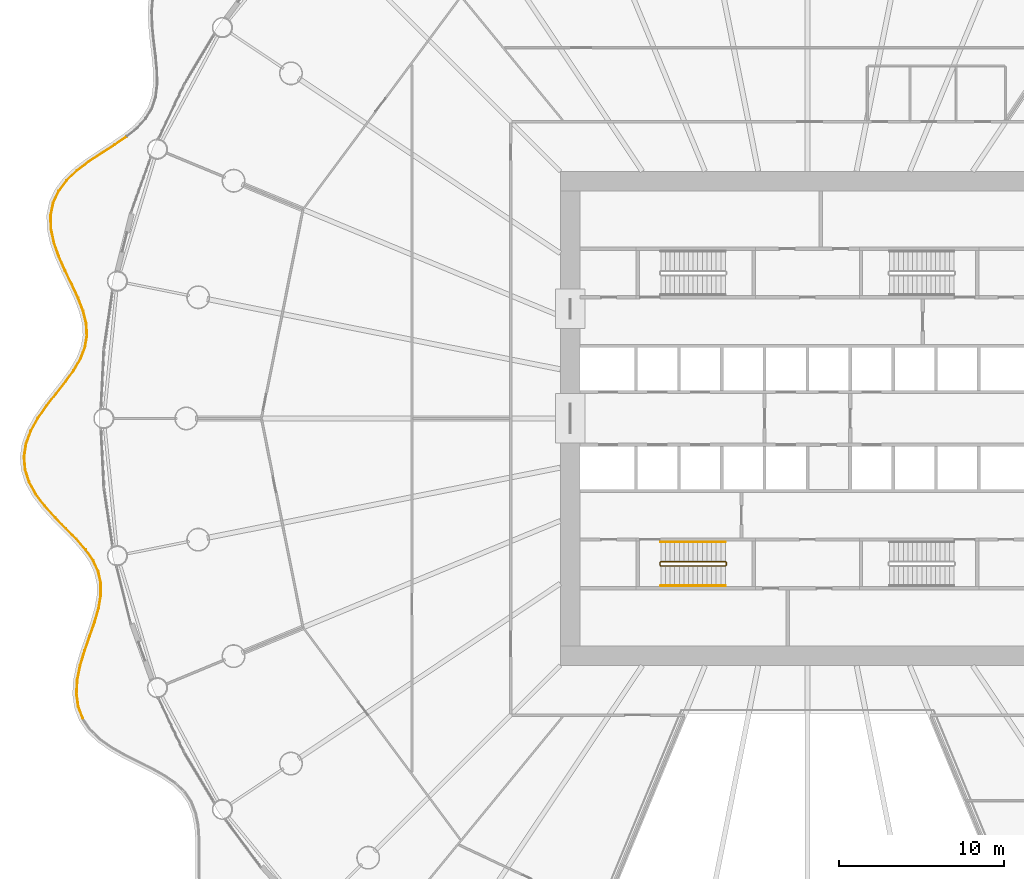
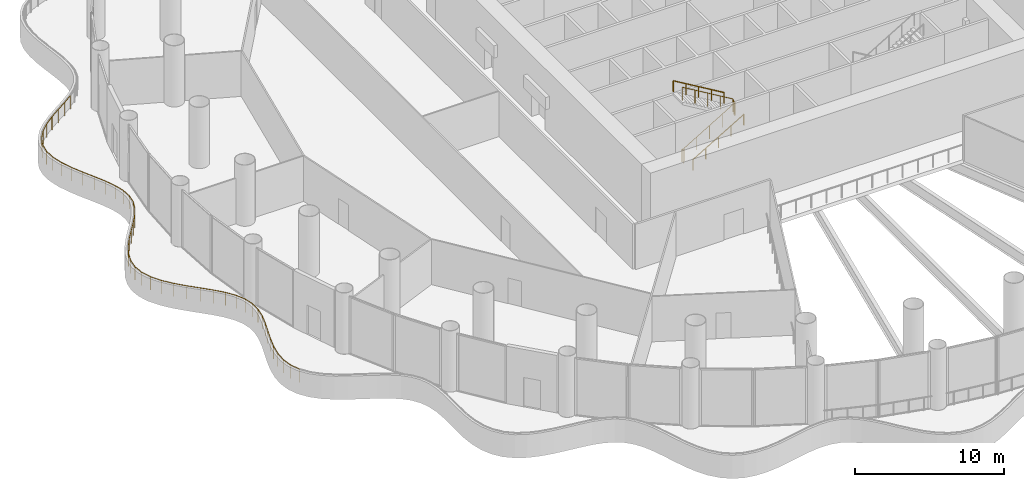
# One storey, part 31 of 36: 5 railings.
"""IFC4 building model written with IfcOpenShell, lengths in metres."""

from ifc_helpers import new_model, si_unit, direction, frame, origin, origin_2d, place, context, subcontext, project, spatial, circle, extrude, material, type_object, element, save


model = new_model("IFC4")

# Units and contexts
model_context = context("Model", 3, precision=1e-05, world=origin(), true_north=direction((0.0, 1.0)))
body_context = subcontext(model_context, "Body", "Model", "MODEL_VIEW")
ifc_project = project(units=[si_unit("LENGTHUNIT", "METRE"), si_unit("AREAUNIT", "SQUARE_METRE"), si_unit("VOLUMEUNIT", "CUBIC_METRE"), si_unit("PLANEANGLEUNIT", "RADIAN"), si_unit("MASSUNIT", "GRAM", prefix="KILO")], contexts=[model_context])

# Site, building, storey
site_placement = place(None, origin())
site = spatial("IfcSite", under=ifc_project, at=site_placement, CompositionType="ELEMENT")
building_placement = place(site_placement, origin())
building = spatial("IfcBuilding", under=site, at=building_placement, Name="Corvane Civic Tower", CompositionType="ELEMENT")
storey_placement = place(building_placement, frame((0.0, 0.0, 17.0)))
storey = spatial("IfcBuildingStorey", under=building, at=storey_placement, Name="L03", CompositionType="ELEMENT", Elevation=17.0)

# Railings
ifc_material_1 = material(Name="Steel ASTM A572 Gr 50", Category="steel")
railing_type_1 = type_object("IfcRailingType", Name="PODIUM-RL-GUARD-1100", PredefinedType="GUARDRAIL", material=ifc_material_1)
railing_1_placement = place(storey_placement, frame((-41.331298828125, 17.09716796875, 0.0)))
element("IfcRailing", 1, at=railing_1_placement, inside=storey, type_object=railing_type_1, Name="L03 ribbon guard 4", PredefinedType="GUARDRAIL", context=body_context, shape_type="SweptSolid", body=[
    extrude(circle(Radius=0.02392578125, at=origin_2d()), frame((0.0, 0.0, 1.076171875), z_axis=(-0.82573958795, -0.564051533898, 0.0), x_axis=(0.564051533898, -0.82573958795, 0.0)), (0.0, 0.0, 1.0), 0.8583984375),
    extrude(circle(Radius=0.02392578125, at=origin_2d()), frame((-0.708740234375, -0.484130859375, 1.076171875), z_axis=(-0.842822766724, -0.53819121499, 0.0), x_axis=(0.53819121499, -0.842822766724, 0.0)), (0.0, 0.0, 1.0), 0.924072265625),
    extrude(circle(Radius=0.02392578125, at=origin_2d()), frame((-1.487548828125, -0.9814453125, 1.076171875), z_axis=(-0.83337465596, -0.552708497133, 0.0), x_axis=(0.552708497133, -0.83337465596, 0.0)), (0.0, 0.0, 1.0), 0.934326171875),
    extrude(circle(Radius=0.02392578125, at=origin_2d()), frame((-2.26611328125, -1.497802734375, 1.076171875), z_axis=(-0.796655807084, -0.604433226286, 0.0), x_axis=(0.604433226286, -0.796655807084, 0.0)), (0.0, 0.0, 1.0), 0.91455078125),
    extrude(circle(Radius=0.02392578125, at=origin_2d()), frame((-2.99462890625, -2.050537109375, 1.076171875), z_axis=(-0.723304663882, -0.690529045882, 0.0), x_axis=(0.690529045882, -0.723304663882, 0.0)), (0.0, 0.0, 1.0), 0.87158203125),
    extrude(circle(Radius=0.02392578125, at=origin_2d()), frame((-3.625, -2.65234375, 1.076171875), z_axis=(-0.599762443872, -0.800178111998, 0.0), x_axis=(0.800178111998, -0.599762443872, 0.0)), (0.0, 0.0, 1.0), 0.822265625),
    extrude(circle(Radius=0.02392578125, at=origin_2d()), frame((-4.1181640625, -3.310302734375, 1.076171875), z_axis=(-0.417659549291, -0.908603599424, 0.0), x_axis=(0.908603599424, -0.417659549291, 0.0)), (0.0, 0.0, 1.0), 0.7861328125),
    extrude(circle(Radius=0.02392578125, at=origin_2d()), frame((-4.446533203125, -4.024658203125, 1.076171875), z_axis=(-0.192928093659, -0.981212897733, 0.0), x_axis=(0.981212897733, -0.192928093659, 0.0)), (0.0, 0.0, 1.0), 0.78076171875),
    extrude(circle(Radius=0.02392578125, at=origin_2d()), frame((-4.59716796875, -4.790771484375, 1.076171875), z_axis=(0.029603218317, -0.999561728692, 0.0), x_axis=(0.999561728692, 0.029603218317, 0.0)), (0.0, 0.0, 1.0), 0.80810546875),
    extrude(circle(Radius=0.02392578125, at=origin_2d()), frame((-4.5732421875, -5.5986328125, 1.076171875), z_axis=(0.209373242359, -0.977835796739, 0.0), x_axis=(0.977835796739, 0.209373242359, 0.0)), (0.0, 0.0, 1.0), 0.85595703125),
    extrude(circle(Radius=0.02392578125, at=origin_2d()), frame((-4.39404296875, -6.435546875, 1.076171875), z_axis=(0.333782049108, -0.942650276451, 0.0), x_axis=(0.942650276451, 0.333782049108, 0.0)), (0.0, 0.0, 1.0), 0.902587890625),
    extrude(circle(Radius=0.02392578125, at=origin_2d()), frame((-4.0927734375, -7.286376953125, 1.076171875), z_axis=(0.406819340059, -0.913508634088, 0.0), x_axis=(0.913508634088, 0.406819340059, 0.0)), (0.0, 0.0, 1.0), 0.931396484375),
    extrude(circle(Radius=0.02392578125, at=origin_2d()), frame((-3.7138671875, -8.13720703125, 1.076171875), z_axis=(0.435842110154, -0.900023141378, 0.0), x_axis=(0.900023141378, 0.435842110154, 0.0)), (0.0, 0.0, 1.0), 0.930419921875),
    extrude(circle(Radius=0.02392578125, at=origin_2d()), frame((-3.308349609375, -8.974609375, 1.076171875), z_axis=(0.421948777942, -0.906619671524, 0.0), x_axis=(0.906619671524, 0.421948777942, 0.0)), (0.0, 0.0, 1.0), 0.899169921875),
    extrude(circle(Radius=0.02392578125, at=origin_2d()), frame((-2.928955078125, -9.789794921875, 1.076171875), z_axis=(0.359987220664, -0.93295723426, 0.0), x_axis=(0.93295723426, 0.359987220664, 0.0)), (0.0, 0.0, 1.0), 0.84375),
    extrude(circle(Radius=0.02392578125, at=origin_2d()), frame((-2.625244140625, -10.576904296875, 1.076171875), z_axis=(0.239885475498, -0.970801194192, 0.0), x_axis=(0.970801194192, 0.239885475498, 0.0)), (0.0, 0.0, 1.0), 0.780517578125),
    extrude(circle(Radius=0.02392578125, at=origin_2d()), frame((-2.43798828125, -11.334716796875, 1.076171875), z_axis=(0.056945469186, -0.998377290176, 0.0), x_axis=(0.998377290176, 0.056945469186, 0.0)), (0.0, 0.0, 1.0), 0.733154296875),
    extrude(circle(Radius=0.02392578125, at=origin_2d()), frame((-2.396240234375, -12.066650390625, 1.076171875), z_axis=(-0.162698350099, -0.986675857045, 0.0), x_axis=(0.986675857045, -0.162698350099, 0.0)), (0.0, 0.0, 1.0), 0.7216796875),
    extrude(circle(Radius=0.02392578125, at=origin_2d()), frame((-2.513671875, -12.77880859375, 1.076171875), z_axis=(-0.362869121859, -0.931840115257, 0.0), x_axis=(0.931840115257, -0.362869121859, 0.0)), (0.0, 0.0, 1.0), 0.752197265625),
    extrude(circle(Radius=0.02392578125, at=origin_2d()), frame((-2.78662109375, -13.479736328125, 1.076171875), z_axis=(-0.505649896337, -0.862738768304, 0.0), x_axis=(0.862738768304, -0.505649896337, 0.0)), (0.0, 0.0, 1.0), 0.810302734375),
    extrude(circle(Radius=0.02392578125, at=origin_2d()), frame((-3.1962890625, -14.1787109375, 1.076171875), z_axis=(-0.587339096763, -0.809340957455, 0.0), x_axis=(0.809340957455, -0.587339096763, 0.0)), (0.0, 0.0, 1.0), 0.8720703125),
    extrude(circle(Radius=0.02392578125, at=origin_2d()), frame((-3.70849609375, -14.884521484375, 1.076171875), z_axis=(-0.620532538307, -0.784180699139, 0.0), x_axis=(0.784180699139, -0.620532538307, 0.0)), (0.0, 0.0, 1.0), 0.91748046875),
    extrude(circle(Radius=0.02392578125, at=origin_2d()), frame((-4.27783203125, -15.60400390625, 1.076171875), z_axis=(-0.614771968679, -0.788704904592, 0.0), x_axis=(0.788704904592, -0.614771968679, 0.0)), (0.0, 0.0, 1.0), 0.934814453125),
    extrude(circle(Radius=0.02392578125, at=origin_2d()), frame((-4.8525390625, -16.34130859375, 1.076171875), z_axis=(-0.571375795207, -0.820688552772, 0.0), x_axis=(0.820688552772, -0.571375795207, 0.0)), (0.0, 0.0, 1.0), 0.89599609375),
    extrude(circle(Radius=0.02099609375, at=origin_2d()), origin(), (0.0, 0.0, 1.0), 1.052001953125),
    extrude(circle(Radius=0.02099609375, at=origin_2d()), frame((-0.708740234375, -0.484130859375, 0.0)), (0.0, 0.0, 1.0), 1.052001953125),
    extrude(circle(Radius=0.02099609375, at=origin_2d()), frame((-1.487548828125, -0.9814453125, 0.0)), (0.0, 0.0, 1.0), 1.052001953125),
    extrude(circle(Radius=0.02099609375, at=origin_2d()), frame((-2.26611328125, -1.497802734375, 0.0)), (0.0, 0.0, 1.0), 1.052001953125),
    extrude(circle(Radius=0.02099609375, at=origin_2d()), frame((-2.99462890625, -2.050537109375, 0.0)), (0.0, 0.0, 1.0), 1.052001953125),
    extrude(circle(Radius=0.02099609375, at=origin_2d()), frame((-3.625, -2.65234375, 0.0)), (0.0, 0.0, 1.0), 1.052001953125),
    extrude(circle(Radius=0.02099609375, at=origin_2d()), frame((-4.1181640625, -3.310302734375, 0.0)), (0.0, 0.0, 1.0), 1.052001953125),
    extrude(circle(Radius=0.02099609375, at=origin_2d()), frame((-4.446533203125, -4.024658203125, 0.0)), (0.0, 0.0, 1.0), 1.052001953125),
    extrude(circle(Radius=0.02099609375, at=origin_2d()), frame((-4.59716796875, -4.790771484375, 0.0)), (0.0, 0.0, 1.0), 1.052001953125),
    extrude(circle(Radius=0.02099609375, at=origin_2d()), frame((-4.5732421875, -5.5986328125, 0.0)), (0.0, 0.0, 1.0), 1.052001953125),
    extrude(circle(Radius=0.02099609375, at=origin_2d()), frame((-4.39404296875, -6.435546875, 0.0)), (0.0, 0.0, 1.0), 1.052001953125),
    extrude(circle(Radius=0.02099609375, at=origin_2d()), frame((-4.0927734375, -7.286376953125, 0.0)), (0.0, 0.0, 1.0), 1.052001953125),
    extrude(circle(Radius=0.02099609375, at=origin_2d()), frame((-3.7138671875, -8.13720703125, 0.0)), (0.0, 0.0, 1.0), 1.052001953125),
    extrude(circle(Radius=0.02099609375, at=origin_2d()), frame((-3.308349609375, -8.974609375, 0.0)), (0.0, 0.0, 1.0), 1.052001953125),
    extrude(circle(Radius=0.02099609375, at=origin_2d()), frame((-2.928955078125, -9.789794921875, 0.0)), (0.0, 0.0, 1.0), 1.052001953125),
    extrude(circle(Radius=0.02099609375, at=origin_2d()), frame((-2.625244140625, -10.576904296875, 0.0)), (0.0, 0.0, 1.0), 1.052001953125),
    extrude(circle(Radius=0.02099609375, at=origin_2d()), frame((-2.43798828125, -11.334716796875, 0.0)), (0.0, 0.0, 1.0), 1.052001953125),
    extrude(circle(Radius=0.02099609375, at=origin_2d()), frame((-2.396240234375, -12.066650390625, 0.0)), (0.0, 0.0, 1.0), 1.052001953125),
    extrude(circle(Radius=0.02099609375, at=origin_2d()), frame((-2.513671875, -12.77880859375, 0.0)), (0.0, 0.0, 1.0), 1.052001953125),
    extrude(circle(Radius=0.02099609375, at=origin_2d()), frame((-2.78662109375, -13.479736328125, 0.0)), (0.0, 0.0, 1.0), 1.052001953125),
    extrude(circle(Radius=0.02099609375, at=origin_2d()), frame((-3.1962890625, -14.1787109375, 0.0)), (0.0, 0.0, 1.0), 1.052001953125),
    extrude(circle(Radius=0.02099609375, at=origin_2d()), frame((-3.70849609375, -14.884521484375, 0.0)), (0.0, 0.0, 1.0), 1.052001953125),
    extrude(circle(Radius=0.02099609375, at=origin_2d()), frame((-4.27783203125, -15.60400390625, 0.0)), (0.0, 0.0, 1.0), 1.052001953125),
    extrude(circle(Radius=0.02099609375, at=origin_2d()), frame((-4.8525390625, -16.34130859375, 0.0)), (0.0, 0.0, 1.0), 1.052001953125),
    extrude(circle(Radius=0.02099609375, at=origin_2d()), frame((-5.364501953125, -17.07666015625, 0.0)), (0.0, 0.0, 1.0), 1.052001953125),
])
railing_2_placement = place(storey_placement, frame((-46.72216796875, -0.02197265625, 0.0)))
element("IfcRailing", 2, at=railing_2_placement, inside=storey, type_object=railing_type_1, Name="L03 ribbon guard 5", PredefinedType="GUARDRAIL", context=body_context, shape_type="SweptSolid", body=[
    extrude(circle(Radius=0.02392578125, at=origin_2d()), frame((0.0, 0.0, 1.076171875), z_axis=(-0.484771582084, -0.874640790956, 0.0), x_axis=(0.874640790956, -0.484771582084, 0.0)), (0.0, 0.0, 1.0), 0.856689453125),
    extrude(circle(Radius=0.02392578125, at=origin_2d()), frame((-0.415283203125, -0.749267578125, 1.076171875), z_axis=(-0.344427050262, -0.938813084191, 0.0), x_axis=(0.938813084191, -0.344427050262, 0.0)), (0.0, 0.0, 1.0), 0.832275390625),
    extrude(circle(Radius=0.02392578125, at=origin_2d()), frame((-0.701904296875, -1.530517578125, 1.076171875), z_axis=(-0.147420434322, -0.98907391814, 0.0), x_axis=(0.98907391814, -0.147420434322, 0.0)), (0.0, 0.0, 1.0), 0.79150390625),
    extrude(circle(Radius=0.02392578125, at=origin_2d()), frame((-0.818603515625, -2.3134765625, 1.076171875), z_axis=(0.086183330017, -0.996279294991, 0.0), x_axis=(0.996279294991, 0.086183330017, 0.0)), (0.0, 0.0, 1.0), 0.779052734375),
    extrude(circle(Radius=0.02392578125, at=origin_2d()), frame((-0.75146484375, -3.089599609375, 1.076171875), z_axis=(0.310823647383, -0.95046760083, 0.0), x_axis=(0.95046760083, 0.310823647383, 0.0)), (0.0, 0.0, 1.0), 0.80029296875),
    extrude(circle(Radius=0.02392578125, at=origin_2d()), frame((-0.502685546875, -3.850341796875, 1.076171875), z_axis=(0.486182441808, -0.873857330047, 0.0), x_axis=(0.873857330047, 0.486182441808, 0.0)), (0.0, 0.0, 1.0), 0.84521484375),
    extrude(circle(Radius=0.02392578125, at=origin_2d()), frame((-0.091796875, -4.5888671875, 1.076171875), z_axis=(0.603621021623, -0.797271385574, 0.0), x_axis=(0.797271385574, 0.603621021623, 0.0)), (0.0, 0.0, 1.0), 0.893798828125),
    extrude(circle(Radius=0.02392578125, at=origin_2d()), frame((0.44775390625, -5.301513671875, 1.076171875), z_axis=(0.672187761022, -0.740380722285, 0.0), x_axis=(0.740380722285, 0.672187761022, 0.0)), (0.0, 0.0, 1.0), 0.92724609375),
    extrude(circle(Radius=0.02392578125, at=origin_2d()), frame((1.071044921875, -5.988037109375, 1.076171875), z_axis=(0.702384147199, -0.711798082158, 0.0), x_axis=(0.711798082158, 0.702384147199, 0.0)), (0.0, 0.0, 1.0), 0.93359375),
    extrude(circle(Radius=0.02392578125, at=origin_2d()), frame((1.726806640625, -6.652587890625, 1.076171875), z_axis=(0.698857923336, -0.715260514072, 0.0), x_axis=(0.715260514072, 0.698857923336, 0.0)), (0.0, 0.0, 1.0), 0.907958984375),
    extrude(circle(Radius=0.02392578125, at=origin_2d()), frame((2.361328125, -7.302001953125, 1.076171875), z_axis=(0.65775776046, -0.75322953245, 0.0), x_axis=(0.75322953245, 0.65775776046, 0.0)), (0.0, 0.0, 1.0), 0.856689453125),
    extrude(circle(Radius=0.02392578125, at=origin_2d()), frame((2.9248046875, -7.947265625, 1.076171875), z_axis=(0.56832961882, -0.822800974946, 0.0), x_axis=(0.822800974946, 0.56832961882, 0.0)), (0.0, 0.0, 1.0), 0.79345703125),
    extrude(circle(Radius=0.02392578125, at=origin_2d()), frame((3.375732421875, -8.60009765625, 1.076171875), z_axis=(0.41757371867, -0.908643048439, 0.0), x_axis=(0.908643048439, 0.41757371867, 0.0)), (0.0, 0.0, 1.0), 0.74072265625),
    extrude(circle(Radius=0.02392578125, at=origin_2d()), frame((3.68505859375, -9.273193359375, 1.076171875), z_axis=(0.212837667857, -0.977087573937, 0.0), x_axis=(0.977087573937, 0.212837667857, 0.0)), (0.0, 0.0, 1.0), 0.720458984375),
    extrude(circle(Radius=0.02392578125, at=origin_2d()), frame((3.83837890625, -9.97705078125, 1.076171875), z_axis=(-0.000328623052, -0.999999946003, 0.0), x_axis=(0.999999946003, -0.000328623052, 0.0)), (0.0, 0.0, 1.0), 0.742919921875),
    extrude(circle(Radius=0.02392578125, at=origin_2d()), frame((3.838134765625, -10.719970703125, 1.076171875), z_axis=(-0.170060830048, -0.98543356655, 0.0), x_axis=(0.98543356655, -0.170060830048, 0.0)), (0.0, 0.0, 1.0), 0.796875),
    extrude(circle(Radius=0.02392578125, at=origin_2d()), frame((3.70263671875, -11.505126953125, 1.076171875), z_axis=(-0.27772020154, -0.96066200594, 0.0), x_axis=(0.96066200594, -0.27772020154, 0.0)), (0.0, 0.0, 1.0), 0.85986328125),
    extrude(circle(Radius=0.02392578125, at=origin_2d()), frame((3.4638671875, -12.3310546875, 1.076171875), z_axis=(-0.328031635624, -0.944666738077, 0.0), x_axis=(0.944666738077, -0.328031635624, 0.0)), (0.0, 0.0, 1.0), 0.91015625),
    extrude(circle(Radius=0.02392578125, at=origin_2d()), frame((3.165283203125, -13.19091796875, 1.076171875), z_axis=(-0.330466878924, -0.943817589333, 0.0), x_axis=(0.943817589333, -0.330466878924, 0.0)), (0.0, 0.0, 1.0), 0.933837890625),
    extrude(circle(Radius=0.02392578125, at=origin_2d()), frame((2.856689453125, -14.072265625, 1.076171875), z_axis=(-0.288653579116, -0.957433606713, 0.0), x_axis=(0.957433606713, -0.288653579116, 0.0)), (0.0, 0.0, 1.0), 0.926025390625),
    extrude(circle(Radius=0.02392578125, at=origin_2d()), frame((2.58935546875, -14.958984375, 1.076171875), z_axis=(-0.199589877807, -0.979879523552, 0.0), x_axis=(0.979879523552, -0.199589877807, 0.0)), (0.0, 0.0, 1.0), 0.8916015625),
    extrude(circle(Radius=0.02392578125, at=origin_2d()), frame((2.411376953125, -15.832763671875, 1.076171875), z_axis=(-0.057957564445, -0.998319047561, 0.0), x_axis=(0.998319047561, -0.057957564445, 0.0)), (0.0, 0.0, 1.0), 0.842529296875),
    extrude(circle(Radius=0.02392578125, at=origin_2d()), frame((2.362548828125, -16.673828125, 1.076171875), z_axis=(0.136068290058, -0.9906994602, 0.0), x_axis=(0.9906994602, 0.136068290058, 0.0)), (0.0, 0.0, 1.0), 0.79833984375),
    extrude(circle(Radius=0.02392578125, at=origin_2d()), frame((2.47119140625, -17.46484375, 1.076171875), z_axis=(0.358675095496, -0.933462466236, 0.0), x_axis=(0.933462466236, 0.358675095496, 0.0)), (0.0, 0.0, 1.0), 0.75341796875),
    extrude(circle(Radius=0.02099609375, at=origin_2d()), origin(), (0.0, 0.0, 1.0), 1.052001953125),
    extrude(circle(Radius=0.02099609375, at=origin_2d()), frame((-0.415283203125, -0.749267578125, 0.0)), (0.0, 0.0, 1.0), 1.052001953125),
    extrude(circle(Radius=0.02099609375, at=origin_2d()), frame((-0.701904296875, -1.530517578125, 0.0)), (0.0, 0.0, 1.0), 1.052001953125),
    extrude(circle(Radius=0.02099609375, at=origin_2d()), frame((-0.818603515625, -2.3134765625, 0.0)), (0.0, 0.0, 1.0), 1.052001953125),
    extrude(circle(Radius=0.02099609375, at=origin_2d()), frame((-0.75146484375, -3.089599609375, 0.0)), (0.0, 0.0, 1.0), 1.052001953125),
    extrude(circle(Radius=0.02099609375, at=origin_2d()), frame((-0.502685546875, -3.850341796875, 0.0)), (0.0, 0.0, 1.0), 1.052001953125),
    extrude(circle(Radius=0.02099609375, at=origin_2d()), frame((-0.091796875, -4.5888671875, 0.0)), (0.0, 0.0, 1.0), 1.052001953125),
    extrude(circle(Radius=0.02099609375, at=origin_2d()), frame((0.44775390625, -5.301513671875, 0.0)), (0.0, 0.0, 1.0), 1.052001953125),
    extrude(circle(Radius=0.02099609375, at=origin_2d()), frame((1.071044921875, -5.988037109375, 0.0)), (0.0, 0.0, 1.0), 1.052001953125),
    extrude(circle(Radius=0.02099609375, at=origin_2d()), frame((1.726806640625, -6.652587890625, 0.0)), (0.0, 0.0, 1.0), 1.052001953125),
    extrude(circle(Radius=0.02099609375, at=origin_2d()), frame((2.361328125, -7.302001953125, 0.0)), (0.0, 0.0, 1.0), 1.052001953125),
    extrude(circle(Radius=0.02099609375, at=origin_2d()), frame((2.9248046875, -7.947265625, 0.0)), (0.0, 0.0, 1.0), 1.052001953125),
    extrude(circle(Radius=0.02099609375, at=origin_2d()), frame((3.375732421875, -8.60009765625, 0.0)), (0.0, 0.0, 1.0), 1.052001953125),
    extrude(circle(Radius=0.02099609375, at=origin_2d()), frame((3.68505859375, -9.273193359375, 0.0)), (0.0, 0.0, 1.0), 1.052001953125),
    extrude(circle(Radius=0.02099609375, at=origin_2d()), frame((3.83837890625, -9.97705078125, 0.0)), (0.0, 0.0, 1.0), 1.052001953125),
    extrude(circle(Radius=0.02099609375, at=origin_2d()), frame((3.838134765625, -10.719970703125, 0.0)), (0.0, 0.0, 1.0), 1.052001953125),
    extrude(circle(Radius=0.02099609375, at=origin_2d()), frame((3.70263671875, -11.505126953125, 0.0)), (0.0, 0.0, 1.0), 1.052001953125),
    extrude(circle(Radius=0.02099609375, at=origin_2d()), frame((3.4638671875, -12.3310546875, 0.0)), (0.0, 0.0, 1.0), 1.052001953125),
    extrude(circle(Radius=0.02099609375, at=origin_2d()), frame((3.165283203125, -13.19091796875, 0.0)), (0.0, 0.0, 1.0), 1.052001953125),
    extrude(circle(Radius=0.02099609375, at=origin_2d()), frame((2.856689453125, -14.072265625, 0.0)), (0.0, 0.0, 1.0), 1.052001953125),
    extrude(circle(Radius=0.02099609375, at=origin_2d()), frame((2.58935546875, -14.958984375, 0.0)), (0.0, 0.0, 1.0), 1.052001953125),
    extrude(circle(Radius=0.02099609375, at=origin_2d()), frame((2.411376953125, -15.832763671875, 0.0)), (0.0, 0.0, 1.0), 1.052001953125),
    extrude(circle(Radius=0.02099609375, at=origin_2d()), frame((2.362548828125, -16.673828125, 0.0)), (0.0, 0.0, 1.0), 1.052001953125),
    extrude(circle(Radius=0.02099609375, at=origin_2d()), frame((2.47119140625, -17.46484375, 0.0)), (0.0, 0.0, 1.0), 1.052001953125),
    extrude(circle(Radius=0.02099609375, at=origin_2d()), frame((2.741455078125, -18.168212890625, 0.0)), (0.0, 0.0, 1.0), 1.052001953125),
])
ifc_material_2 = material(Name="Steel ASTM A572 Gr 50", Category="steel")
railing_type_2 = type_object("IfcRailingType", Name="ST-GUARD-1100", PredefinedType="GUARDRAIL", material=ifc_material_2)
railing_3_placement = place(storey_placement, frame((-8.949951171875, -8.75, 0.0)))
element("IfcRailing", 3, at=railing_3_placement, inside=storey, type_object=railing_type_2, Name="L03 ST3 stair guard 1", PredefinedType="GUARDRAIL", context=body_context, shape_type="SweptSolid", body=[
    extrude(circle(Radius=0.02392578125, at=origin_2d()), frame((0.0, 0.0, 1.076171875), z_axis=(0.0, -1.0, 0.0), x_axis=(1.0, 0.0, 0.0)), (0.0, 0.0, 1.0), 0.14990234375),
    extrude(circle(Radius=0.02392578125, at=origin_2d()), frame((0.0, -0.14990234375, 1.076171875), z_axis=(0.27628659633, -0.27628659633, 0.920506074601), x_axis=(0.707106781187, 0.707106781187, 0.0)), (0.0, 0.0, 1.0), 0.18115234375),
    extrude(circle(Radius=0.02392578125, at=origin_2d()), frame((0.050048828125, -0.199951171875, 1.24267578125), z_axis=(0.859296244711, 0.0, 0.511478214419), x_axis=(0.0, 1.0, 0.0)), (0.0, 0.0, 1.0), 4.561767578125),
    extrude(circle(Radius=0.02392578125, at=origin_2d()), frame((3.969970703125, -0.199951171875, 3.576171875), z_axis=(0.707106781187, 0.707106781187, 0.0), x_axis=(-0.707106781187, 0.707106781187, 0.0)), (0.0, 0.0, 1.0), 0.07080078125),
    extrude(circle(Radius=0.02392578125, at=origin_2d()), frame((4.02001953125, -0.14990234375, 3.576171875), z_axis=(0.0, 1.0, 0.0), x_axis=(-1.0, 0.0, 0.0)), (0.0, 0.0, 1.0), 0.14990234375),
    extrude(circle(Radius=0.02392578125, at=origin_2d()), frame((4.02001953125, 0.0, 3.576171875), z_axis=(-0.27628659633, 0.27628659633, 0.920506074601), x_axis=(-0.707106781187, -0.707106781187, 0.0)), (0.0, 0.0, 1.0), 0.18115234375),
    extrude(circle(Radius=0.02392578125, at=origin_2d()), frame((3.969970703125, 0.050048828125, 3.74267578125), z_axis=(-0.859296244711, 0.0, 0.511478214419), x_axis=(0.0, -1.0, 0.0)), (0.0, 0.0, 1.0), 4.561767578125),
    extrude(circle(Radius=0.02099609375, at=origin_2d()), origin(), (0.0, 0.0, 1.0), 1.052001953125),
    extrude(circle(Radius=0.02099609375, at=origin_2d()), frame((0.0, -0.14990234375, 0.0)), (0.0, 0.0, 1.0), 1.052001953125),
    extrude(circle(Radius=0.02099609375, at=origin_2d()), frame((0.050048828125, -0.199951171875, 0.166748046875)), (0.0, 0.0, 1.0), 1.052001953125),
    extrude(circle(Radius=0.02099609375, at=origin_2d()), frame((1.030029296875, -0.199951171875, 0.75)), (0.0, 0.0, 1.0), 1.052001953125),
    extrude(circle(Radius=0.02099609375, at=origin_2d()), frame((2.010009765625, -0.199951171875, 1.33349609375)), (0.0, 0.0, 1.0), 1.052001953125),
    extrude(circle(Radius=0.02099609375, at=origin_2d()), frame((2.989990234375, -0.199951171875, 1.916748046875)), (0.0, 0.0, 1.0), 1.052001953125),
    extrude(circle(Radius=0.02099609375, at=origin_2d()), frame((3.969970703125, -0.199951171875, 2.5)), (0.0, 0.0, 1.0), 1.052001953125),
    extrude(circle(Radius=0.02099609375, at=origin_2d()), frame((4.02001953125, -0.14990234375, 2.5)), (0.0, 0.0, 1.0), 1.052001953125),
    extrude(circle(Radius=0.02099609375, at=origin_2d()), frame((4.02001953125, 0.0, 2.5)), (0.0, 0.0, 1.0), 1.052001953125),
    extrude(circle(Radius=0.02099609375, at=origin_2d()), frame((3.969970703125, 0.050048828125, 2.666748046875)), (0.0, 0.0, 1.0), 1.052001953125),
    extrude(circle(Radius=0.02099609375, at=origin_2d()), frame((2.989990234375, 0.050048828125, 3.25)), (0.0, 0.0, 1.0), 1.052001953125),
    extrude(circle(Radius=0.02099609375, at=origin_2d()), frame((2.010009765625, 0.050048828125, 3.83349609375)), (0.0, 0.0, 1.0), 1.052001953125),
    extrude(circle(Radius=0.02099609375, at=origin_2d()), frame((1.030029296875, 0.050048828125, 4.416748046875)), (0.0, 0.0, 1.0), 1.052001953125),
    extrude(circle(Radius=0.02099609375, at=origin_2d()), frame((0.050048828125, 0.050048828125, 5.0)), (0.0, 0.0, 1.0), 1.052001953125),
])
ifc_material_3 = material(Name="Steel ASTM A572 Gr 50", Category="steel")
railing_type_3 = type_object("IfcRailingType", Name="ST-HANDRAIL-900", PredefinedType="HANDRAIL", material=ifc_material_3)
railing_4_placement = place(storey_placement, frame((-8.89990234375, -10.14990234375, 0.166748046875)))
element("IfcRailing", 4, at=railing_4_placement, inside=storey, type_object=railing_type_3, Name="L03 ST3 stair handrail 1", PredefinedType="HANDRAIL", context=body_context, shape_type="SweptSolid", body=[
    extrude(circle(Radius=0.02392578125, at=origin_2d()), frame((0.0, 0.0, 0.8759765625), z_axis=(0.859296244711, 0.0, 0.511478214419), x_axis=(0.0, 1.0, 0.0)), (0.0, 0.0, 1.0), 4.561767578125),
    extrude(circle(Radius=0.02099609375, at=origin_2d()), origin(), (0.0, 0.0, 1.0), 0.851806640625),
    extrude(circle(Radius=0.02099609375, at=origin_2d()), frame((0.97998046875, 0.0, 0.583251953125)), (0.0, 0.0, 1.0), 0.851806640625),
    extrude(circle(Radius=0.02099609375, at=origin_2d()), frame((1.9599609375, 0.0, 1.16650390625)), (0.0, 0.0, 1.0), 0.851806640625),
    extrude(circle(Radius=0.02099609375, at=origin_2d()), frame((2.93994140625, 0.0, 1.75)), (0.0, 0.0, 1.0), 0.851806640625),
    extrude(circle(Radius=0.02099609375, at=origin_2d()), frame((3.919921875, 0.0, 2.333251953125)), (0.0, 0.0, 1.0), 0.851806640625),
])
railing_5_placement = place(storey_placement, frame((-4.97998046875, -7.5, 2.666748046875)))
element("IfcRailing", 5, at=railing_5_placement, inside=storey, type_object=railing_type_3, Name="L03 ST3 stair handrail 2", PredefinedType="HANDRAIL", context=body_context, shape_type="SweptSolid", body=[
    extrude(circle(Radius=0.02392578125, at=origin_2d()), frame((0.0, 0.0, 0.8759765625), z_axis=(-0.859296244711, 0.0, 0.511478214419), x_axis=(0.0, -1.0, 0.0)), (0.0, 0.0, 1.0), 4.561767578125),
    extrude(circle(Radius=0.02099609375, at=origin_2d()), origin(), (0.0, 0.0, 1.0), 0.851806640625),
    extrude(circle(Radius=0.02099609375, at=origin_2d()), frame((-0.97998046875, 0.0, 0.583251953125)), (0.0, 0.0, 1.0), 0.851806640625),
    extrude(circle(Radius=0.02099609375, at=origin_2d()), frame((-1.9599609375, 0.0, 1.16650390625)), (0.0, 0.0, 1.0), 0.851806640625),
    extrude(circle(Radius=0.02099609375, at=origin_2d()), frame((-2.93994140625, 0.0, 1.75)), (0.0, 0.0, 1.0), 0.851806640625),
    extrude(circle(Radius=0.02099609375, at=origin_2d()), frame((-3.919921875, 0.0, 2.333251953125)), (0.0, 0.0, 1.0), 0.851806640625),
])

save(model, "model.ifc")
